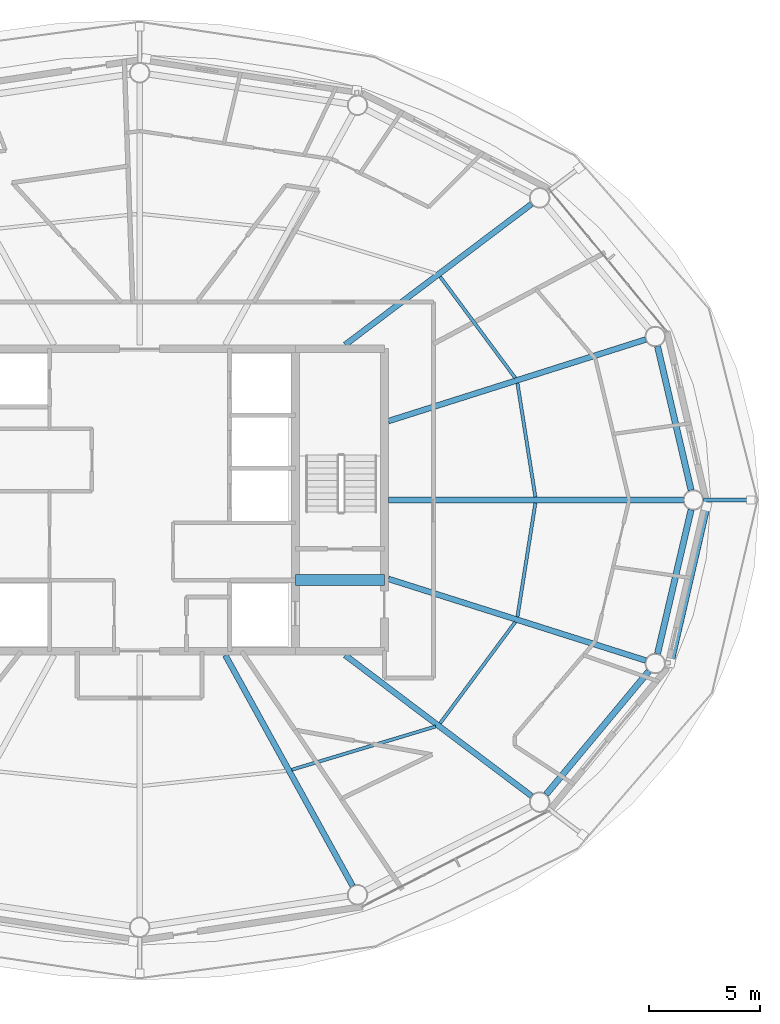
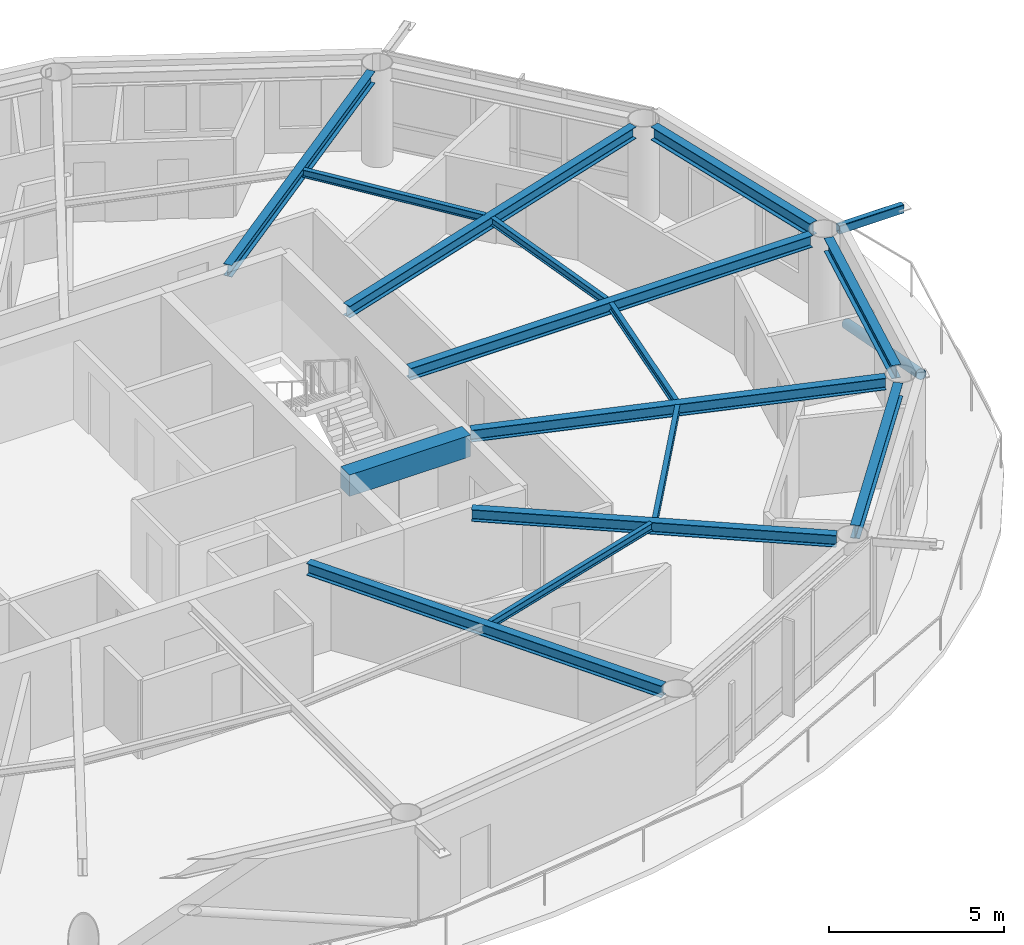
# One storey, part 6 of 22: 15 beams, 2 members.
"""IFC4 building model written with IfcOpenShell, lengths in metres."""

from ifc_helpers import new_model, si_unit, direction, frame, origin, origin_2d, place, context, subcontext, project, spatial, rectangle, hollow_rectangle, hollow_circle, i_section, extrude, material, material_profile, profile_set, type_object, element, save


model = new_model("IFC4")

# Units and contexts
model_context = context("Model", 3, precision=1e-05, world=origin(), true_north=direction((0.0, 1.0)))
body_context = subcontext(model_context, "Body", "Model", "MODEL_VIEW")
ifc_project = project(units=[si_unit("LENGTHUNIT", "METRE"), si_unit("AREAUNIT", "SQUARE_METRE"), si_unit("VOLUMEUNIT", "CUBIC_METRE"), si_unit("PLANEANGLEUNIT", "RADIAN"), si_unit("MASSUNIT", "GRAM", prefix="KILO")], contexts=[model_context])

# Site, building, storey
site_placement = place(None, origin())
site = spatial("IfcSite", under=ifc_project, at=site_placement, CompositionType="ELEMENT")
building_placement = place(site_placement, origin())
building = spatial("IfcBuilding", under=site, at=building_placement, Name="Sarneth Arch Tower", CompositionType="ELEMENT")
storey_placement = place(building_placement, frame((0.0, 0.0, 291.0)))
storey = spatial("IfcBuildingStorey", under=building, at=storey_placement, Name="L75", CompositionType="ELEMENT", Elevation=291.0)

# Beams
ifc_material_1 = material(Name="Steel S355", Category="steel")
ifc_material_profile_1 = material_profile(ifc_material_1, i_section(OverallWidth=0.14794921875, OverallDepth=0.26611328125, WebThickness=0.007568359375, FlangeThickness=0.012939453125, FilletRadius=0.012939453125, at=origin_2d()), Name="W250x44.8")
ifc_profile_set_1 = profile_set([ifc_material_profile_1], Name="Steel S355")
beam_type_1 = type_object("IfcBeamType", Name="BM-JOIST-250", PredefinedType="JOIST", material=ifc_profile_set_1)
beam_1_placement = place(storey_placement, frame((65.783935546875, 42.12841796875, 3.237060546875), z_axis=(-0.155556266572, 0.987827033407, 0.0), x_axis=(-0.987827033407, -0.155556266572, 0.0)))
element("IfcBeam", 1, at=beam_1_placement, inside=storey, type_object=beam_type_1, Name="L75 Secondary floor joist 01", PredefinedType="JOIST", context=body_context, shape_type="SweptSolid", body=[
    extrude(i_section(OverallWidth=0.14794921875, OverallDepth=0.26611328125, WebThickness=0.007568359375, FlangeThickness=0.012939453125, FilletRadius=0.012939453125, at=origin_2d()), origin(), (0.0, 0.0, 1.0), 5.183837890625),
])
beam_2_placement = place(storey_placement, frame((64.880126953125, 47.482177734375, 3.237060546875), z_axis=(-0.595712519616, 0.803197730309, 0.0), x_axis=(-0.803197730309, -0.595712519616, 0.0)))
element("IfcBeam", 2, at=beam_2_placement, inside=storey, type_object=beam_type_1, Name="L75 Secondary floor joist 02", PredefinedType="JOIST", context=body_context, shape_type="SweptSolid", body=[
    extrude(i_section(OverallWidth=0.14794921875, OverallDepth=0.26611328125, WebThickness=0.007568359375, FlangeThickness=0.012939453125, FilletRadius=0.012939453125, at=origin_2d()), origin(), (0.0, 0.0, 1.0), 5.669189453125),
])
beam_3_placement = place(storey_placement, frame((54.836181640625, 29.877685546875, 3.237060546875), z_axis=(0.95760703602, 0.288077705776, 0.0), x_axis=(-0.288077705776, 0.95760703602, 0.0)))
element("IfcBeam", 3, at=beam_3_placement, inside=storey, type_object=beam_type_1, Name="L75 Secondary floor joist 14", PredefinedType="JOIST", context=body_context, shape_type="SweptSolid", body=[
    extrude(i_section(OverallWidth=0.14794921875, OverallDepth=0.26611328125, WebThickness=0.007568359375, FlangeThickness=0.012939453125, FilletRadius=0.012939453125, at=origin_2d()), origin(), (0.0, 0.0, 1.0), 6.7509765625),
])
beam_4_placement = place(storey_placement, frame((61.5029296875, 31.96435546875, 3.237060546875), z_axis=(0.595712519616, 0.803197730309, 0.0), x_axis=(-0.803197730309, 0.595712519616, 0.0)))
element("IfcBeam", 4, at=beam_4_placement, inside=storey, type_object=beam_type_1, Name="L75 Secondary floor joist 15", PredefinedType="JOIST", context=body_context, shape_type="SweptSolid", body=[
    extrude(i_section(OverallWidth=0.14794921875, OverallDepth=0.26611328125, WebThickness=0.007568359375, FlangeThickness=0.012939453125, FilletRadius=0.012939453125, at=origin_2d()), origin(), (0.0, 0.0, 1.0), 5.669189453125),
])
beam_5_placement = place(storey_placement, frame((64.9775390625, 36.750732421875, 3.237060546875), z_axis=(0.155556266572, 0.987827033407, 0.0), x_axis=(-0.987827033407, 0.155556266572, 0.0)))
element("IfcBeam", 5, at=beam_5_placement, inside=storey, type_object=beam_type_1, Name="L75 Secondary floor joist 16", PredefinedType="JOIST", context=body_context, shape_type="SweptSolid", body=[
    extrude(i_section(OverallWidth=0.14794921875, OverallDepth=0.26611328125, WebThickness=0.007568359375, FlangeThickness=0.012939453125, FilletRadius=0.012939453125, at=origin_2d()), origin(), (0.0, 0.0, 1.0), 5.183837890625),
])
ifc_material_2 = material(Name="Concrete C50/60", Category="concrete")
ifc_material_profile_2 = material_profile(ifc_material_2, rectangle(XDim=0.5, YDim=0.75, at=origin_2d()), Name="RC-500x750")
ifc_profile_set_2 = profile_set([ifc_material_profile_2], Name="Concrete C50/60")
beam_type_2 = type_object("IfcBeamType", Name="BM-LINTEL-RC", PredefinedType="LINTEL", material=ifc_profile_set_2)
beam_6_placement = place(storey_placement, frame((55.0, 38.39990234375, 2.9951171875), z_axis=(1.0, 0.0, 0.0), x_axis=(0.0, 1.0, 0.0)))
element("IfcBeam", 6, at=beam_6_placement, inside=storey, type_object=beam_type_2, Name="L75 Core coupling lintel E", PredefinedType="LINTEL", context=body_context, shape_type="SweptSolid", body=[
    extrude(rectangle(XDim=0.5, YDim=0.75, at=origin_2d()), origin(), (0.0, 0.0, 1.0), 4.0),
])
ifc_material_3 = material(Name="Steel S355", Category="steel")
ifc_material_profile_3 = material_profile(ifc_material_3, i_section(OverallWidth=0.260009765625, OverallDepth=0.4150390625, WebThickness=0.010009765625, FlangeThickness=0.016845703125, FilletRadius=0.01611328125, at=origin_2d()), Name="W410x100")
ifc_profile_set_3 = profile_set([ifc_material_profile_3], Name="Steel S355")
beam_type_3 = type_object("IfcBeamType", Name="BM-RAD-410A", PredefinedType="BEAM", material=ifc_profile_set_3)
beam_7_placement = place(storey_placement, frame((59.175048828125, 42.0, 3.16259765625), z_axis=(1.0, 0.0, 0.0), x_axis=(0.0, 1.0, 0.0)))
element("IfcBeam", 7, at=beam_7_placement, inside=storey, type_object=beam_type_3, Name="L75 Radial floor girder 01", PredefinedType="BEAM", context=body_context, shape_type="SweptSolid", body=[
    extrude(i_section(OverallWidth=0.260009765625, OverallDepth=0.4150390625, WebThickness=0.010009765625, FlangeThickness=0.016845703125, FilletRadius=0.01611328125, at=origin_2d()), origin(), (0.0, 0.0, 1.0), 13.258056640625),
])
beam_8_placement = place(storey_placement, frame((59.175048828125, 45.5439453125, 3.16259765625), z_axis=(0.95321762769, 0.302284889237, 0.0), x_axis=(-0.302284889237, 0.95321762769, 0.0)))
element("IfcBeam", 8, at=beam_8_placement, inside=storey, type_object=beam_type_3, Name="L75 Radial floor girder 02", PredefinedType="BEAM", context=body_context, shape_type="SweptSolid", body=[
    extrude(i_section(OverallWidth=0.260009765625, OverallDepth=0.4150390625, WebThickness=0.010009765625, FlangeThickness=0.016845703125, FilletRadius=0.01611328125, at=origin_2d()), origin(), (0.0, 0.0, 1.0), 12.132568359375),
])
beam_9_placement = place(storey_placement, frame((57.23486328125, 48.97509765625, 3.16259765625), z_axis=(0.797981595352, 0.602681817777, 0.0), x_axis=(-0.602681817777, 0.797981595352, 0.0)))
element("IfcBeam", 9, at=beam_9_placement, inside=storey, type_object=beam_type_3, Name="L75 Radial floor girder 03", PredefinedType="BEAM", context=body_context, shape_type="SweptSolid", body=[
    extrude(i_section(OverallWidth=0.260009765625, OverallDepth=0.4150390625, WebThickness=0.010009765625, FlangeThickness=0.016845703125, FilletRadius=0.01611328125, at=origin_2d()), origin(), (0.0, 0.0, 1.0), 10.503173828125),
])
beam_10_placement = place(storey_placement, frame((51.849853515625, 35.02490234375, 3.16259765625), z_axis=(0.483229367873, -0.875493790969, 0.0), x_axis=(0.875493790969, 0.483229367873, 0.0)))
element("IfcBeam", 10, at=beam_10_placement, inside=storey, type_object=beam_type_3, Name="L75 Radial floor girder 14", PredefinedType="BEAM", context=body_context, shape_type="SweptSolid", body=[
    extrude(i_section(OverallWidth=0.260009765625, OverallDepth=0.4150390625, WebThickness=0.010009765625, FlangeThickness=0.016845703125, FilletRadius=0.01611328125, at=origin_2d()), origin(), (0.0, 0.0, 1.0), 11.843994140625),
])
beam_11_placement = place(storey_placement, frame((57.23486328125, 35.02490234375, 3.16259765625), z_axis=(0.797981595352, -0.602681817777, 0.0), x_axis=(0.602681817777, 0.797981595352, 0.0)))
element("IfcBeam", 11, at=beam_11_placement, inside=storey, type_object=beam_type_3, Name="L75 Radial floor girder 15", PredefinedType="BEAM", context=body_context, shape_type="SweptSolid", body=[
    extrude(i_section(OverallWidth=0.260009765625, OverallDepth=0.4150390625, WebThickness=0.010009765625, FlangeThickness=0.016845703125, FilletRadius=0.01611328125, at=origin_2d()), origin(), (0.0, 0.0, 1.0), 10.503173828125),
])
beam_12_placement = place(storey_placement, frame((59.175048828125, 38.4560546875, 3.16259765625), z_axis=(0.95321762769, -0.302284889237, 0.0), x_axis=(0.302284889237, 0.95321762769, 0.0)))
element("IfcBeam", 12, at=beam_12_placement, inside=storey, type_object=beam_type_3, Name="L75 Radial floor girder 16", PredefinedType="BEAM", context=body_context, shape_type="SweptSolid", body=[
    extrude(i_section(OverallWidth=0.260009765625, OverallDepth=0.4150390625, WebThickness=0.010009765625, FlangeThickness=0.016845703125, FilletRadius=0.01611328125, at=origin_2d()), origin(), (0.0, 0.0, 1.0), 12.132568359375),
])
ifc_material_4 = material(Name="Steel S355", Category="steel")
ifc_material_profile_4 = material_profile(ifc_material_4, i_section(OverallWidth=0.280029296875, OverallDepth=0.462890625, WebThickness=0.0107421875, FlangeThickness=0.017333984375, FilletRadius=0.01806640625, at=origin_2d()), Name="W460x113")
ifc_profile_set_4 = profile_set([ifc_material_profile_4], Name="Steel S355")
beam_type_4 = type_object("IfcBeamType", Name="BM-RAD-460A", PredefinedType="BEAM", material=ifc_profile_set_4)
beam_13_placement = place(storey_placement, frame((72.781005859375, 42.438232421875, 3.138427734375), z_axis=(-0.227247037844, 0.973837144389, 0.0), x_axis=(-0.973837144389, -0.227247037844, 0.0)))
element("IfcBeam", 13, at=beam_13_placement, inside=storey, type_object=beam_type_4, Name="L75 Perimeter spandrel beam 01", PredefinedType="BEAM", context=body_context, shape_type="SweptSolid", body=[
    extrude(i_section(OverallWidth=0.280029296875, OverallDepth=0.462890625, WebThickness=0.0107421875, FlangeThickness=0.017333984375, FilletRadius=0.01806640625, at=origin_2d()), origin(), (0.0, 0.0, 1.0), 6.644775390625),
])
beam_14_placement = place(storey_placement, frame((66.263427734375, 28.769287109375, 3.138427734375), z_axis=(0.640390876881, 0.768049168222, 0.0), x_axis=(-0.768049168222, 0.640390876881, 0.0)))
element("IfcBeam", 14, at=beam_14_placement, inside=storey, type_object=beam_type_4, Name="L75 Perimeter spandrel beam 15", PredefinedType="BEAM", context=body_context, shape_type="SweptSolid", body=[
    extrude(i_section(OverallWidth=0.280029296875, OverallDepth=0.462890625, WebThickness=0.0107421875, FlangeThickness=0.017333984375, FilletRadius=0.01806640625, at=origin_2d()), origin(), (0.0, 0.0, 1.0), 7.2099609375),
])
beam_15_placement = place(storey_placement, frame((71.27099609375, 35.0908203125, 3.138427734375), z_axis=(0.227247037844, 0.973837144389, 0.0), x_axis=(-0.973837144389, 0.227247037844, 0.0)))
element("IfcBeam", 15, at=beam_15_placement, inside=storey, type_object=beam_type_4, Name="L75 Perimeter spandrel beam 16", PredefinedType="BEAM", context=body_context, shape_type="SweptSolid", body=[
    extrude(i_section(OverallWidth=0.280029296875, OverallDepth=0.462890625, WebThickness=0.0107421875, FlangeThickness=0.017333984375, FilletRadius=0.01806640625, at=origin_2d()), origin(), (0.0, 0.0, 1.0), 6.644775390625),
])

# Members
ifc_material_5 = material(Name="Steel S355", Category="steel")
ifc_material_profile_5 = material_profile(ifc_material_5, hollow_rectangle(XDim=0.199951171875, YDim=0.300048828125, WallThickness=0.012451171875, InnerFilletRadius=0.018798828125, OuterFilletRadius=0.03125, at=origin_2d()), Name="RHS300x200x12.5")
ifc_profile_set_5 = profile_set([ifc_material_profile_5], Name="Steel S355")
member_type_1 = type_object("IfcMemberType", Name="MEM-CANT-STRUT", PredefinedType="STRUT", material=ifc_profile_set_5)
member_1_placement = place(storey_placement, frame((73.333251953125, 42.0, 3.2099609375), z_axis=(1.0, 0.0, 0.0), x_axis=(0.0, 1.0, 0.0)))
element("IfcMember", 16, at=member_1_placement, inside=storey, type_object=member_type_1, Name="L75 Balcony cantilever bracket 01", PredefinedType="STRUT", context=body_context, shape_type="SweptSolid", body=[
    extrude(hollow_rectangle(XDim=0.199951171875, YDim=0.300048828125, WallThickness=0.012451171875, InnerFilletRadius=0.018798828125, OuterFilletRadius=0.03125, at=origin_2d()), origin(), (0.0, 0.0, 1.0), 2.1298828125),
])
ifc_material_6 = material(Name="Steel S355", Category="steel")
ifc_material_profile_6 = material_profile(ifc_material_6, hollow_circle(Radius=0.162109375, WallThickness=0.012451171875, at=origin_2d()), Name="CHS324x12.5")
ifc_profile_set_6 = profile_set([ifc_material_profile_6], Name="Steel S355")
member_type_2 = type_object("IfcMemberType", Name="MEM-DIAG-BR3", PredefinedType="BRACE", material=ifc_profile_set_6)
member_2_placement = place(storey_placement, frame((73.4765625, 41.707763671875, 0.02001953125), z_axis=(-0.207343373373, -0.896265487877, 0.392067469651), x_axis=(0.974268900284, -0.225388797281, 0.0)))
element("IfcMember", 17, at=member_2_placement, inside=storey, type_object=member_type_2, Name="L75 Perimeter frame diagonal 16", PredefinedType="BRACE", context=body_context, shape_type="SweptSolid", body=[
    extrude(hollow_circle(Radius=0.162109375, WallThickness=0.012451171875, at=origin_2d()), origin(), (0.0, 0.0, 1.0), 7.836181640625),
])

save(model, "model.ifc")
